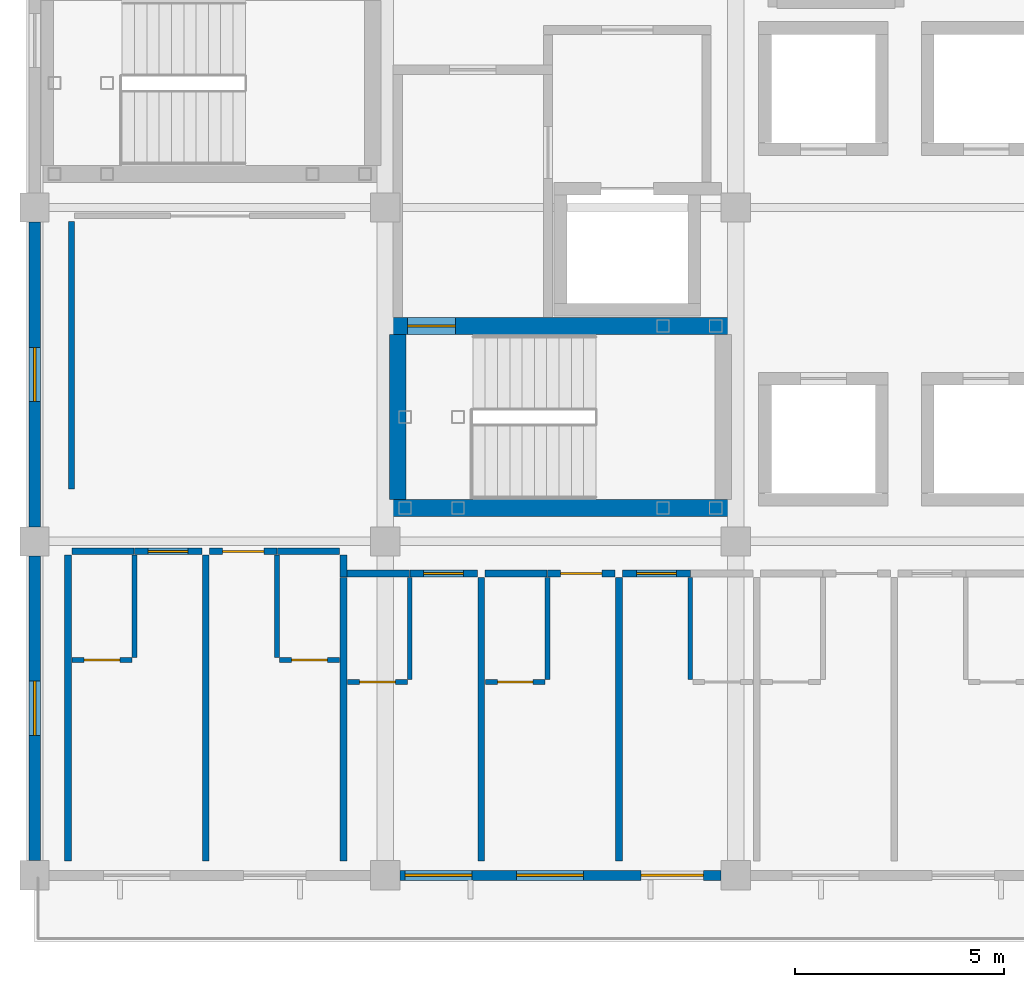
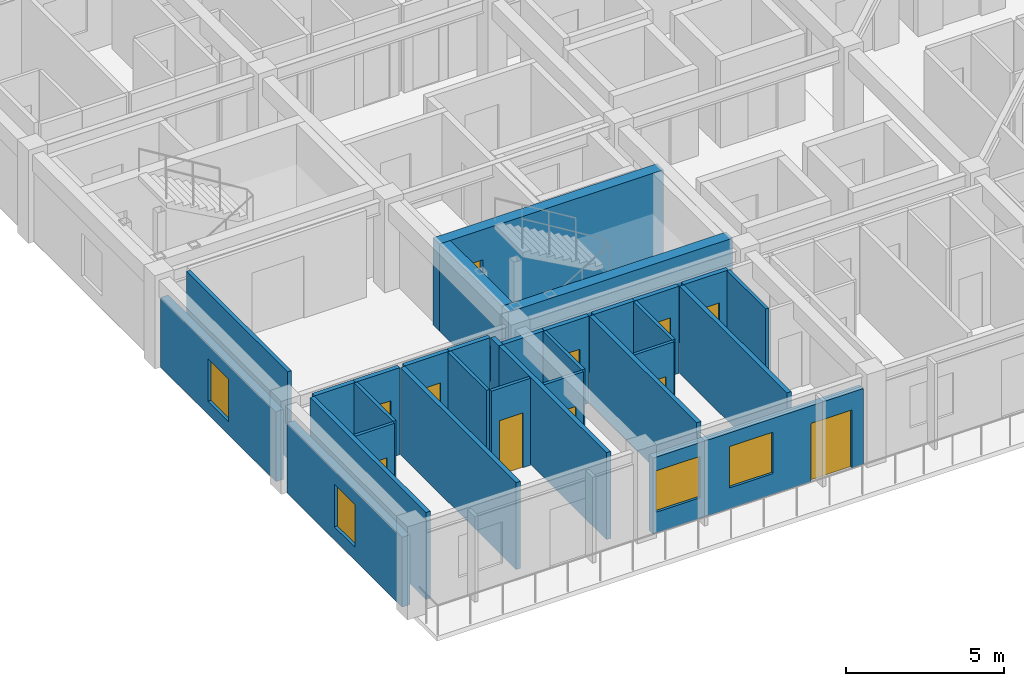
# One storey, part 4 of 16: 31 walls, 11 doors, 4 windows, 15 openings.
"""IFC4 building model written with IfcOpenShell, lengths in metres."""

import ifcopenshell
import ifcopenshell.guid

model = None  # the IFC model being written
_history = None  # IfcOwnerHistory: only IFC2X3 demands one
_inside = {}  # id of a spatial element -> (the spatial element, [elements in it])
_under = {}  # id of a project, library or spatial element -> (it, [spatial elements below it])
_declared = {}  # id of a project -> (the project, [libraries it declares])
_typed = {}  # id of a type object -> (the type object, [elements of that type])
_made_of = {}  # id of a material, layer set ... -> (it, [elements and type objects made of it])


def new_model(schema):
    """Start an empty IFC model of exactly this schema.

    Asked for "IFC4X3", IfcOpenShell would pick the latest addendum, in which some entities
    have other attributes; the version numbers below select the first issue.
    IFC2X3 requires an IfcOwnerHistory on every rooted entity: one is made here for all.
    """
    global model, _history
    if schema == "IFC4X3":
        model = ifcopenshell.file(schema_version=(4, 3, 0, 0))
    else:
        model = ifcopenshell.file(schema=schema)
    _inside.clear()
    _under.clear()
    _declared.clear()
    _typed.clear()
    _made_of.clear()
    _history = None
    if model.schema == "IFC2X3":
        org = make("IfcOrganization", Name="unknown")
        user = make(
            "IfcPersonAndOrganization",
            ThePerson=make("IfcPerson", FamilyName="unknown"),
            TheOrganization=org,
        )
        app = make(
            "IfcApplication",
            ApplicationDeveloper=org,
            Version="unknown",
            ApplicationFullName="unknown",
            ApplicationIdentifier="unknown",
        )
        _history = make(
            "IfcOwnerHistory",
            OwningUser=user,
            OwningApplication=app,
            ChangeAction="ADDED",
            CreationDate=0,
        )
    return model


def make(cls, **values):
    """One entity of the class cls with the attributes given. An attribute that is None is left unset."""
    return model.create_entity(
        cls, **{name: value for name, value in values.items() if value is not None}
    )


def rooted(cls, **values):
    """An entity with a GlobalId (a new one), such as an element, a storey or a relation."""
    return make(cls, GlobalId=ifcopenshell.guid.new(), OwnerHistory=_history, **values)


def si_unit(unit_type, name, prefix=None):
    """IfcSIUnit, for example si_unit("LENGTHUNIT", "METRE", prefix="MILLI")."""
    return make("IfcSIUnit", UnitType=unit_type, Prefix=prefix, Name=name)


def assignment(units):
    """IfcUnitAssignment: the units of a project."""
    return None if units is None else make("IfcUnitAssignment", Units=units)


def point(xyz):
    """IfcCartesianPoint."""
    return None if xyz is None else make("IfcCartesianPoint", Coordinates=xyz)


def direction(xyz):
    """IfcDirection."""
    return None if xyz is None else make("IfcDirection", DirectionRatios=xyz)


def frame(location, z_axis=None, x_axis=None):
    """IfcAxis2Placement3D, a coordinate frame: its origin and axes. An axis left out is left unset."""
    return make(
        "IfcAxis2Placement3D",
        Location=point(location),
        Axis=direction(z_axis),
        RefDirection=direction(x_axis),
    )


def frame_2d(location, x_axis=None):
    """IfcAxis2Placement2D, a coordinate frame in the plane: its origin and x axis."""
    return make(
        "IfcAxis2Placement2D", Location=point(location), RefDirection=direction(x_axis)
    )


def origin():
    """The frame at (0, 0, 0) with its axes left unset."""
    return frame((0.0, 0.0, 0.0))


def place(relative_to, where):
    """IfcLocalPlacement: puts the frame where relative to a parent placement (None: the world)."""
    return make(
        "IfcLocalPlacement", PlacementRelTo=relative_to, RelativePlacement=where
    )


def context(
    kind, dimensions, precision=None, world=None, true_north=None, identifier=None
):
    """IfcGeometricRepresentationContext, for example the 3D "Model" context."""
    return make(
        "IfcGeometricRepresentationContext",
        ContextIdentifier=identifier,
        ContextType=kind,
        CoordinateSpaceDimension=dimensions,
        Precision=precision,
        WorldCoordinateSystem=world,
        TrueNorth=true_north,
    )


def subcontext(parent, identifier, kind, view, scale=None):
    """IfcGeometricRepresentationSubContext, for example "Body" below "Model"."""
    return make(
        "IfcGeometricRepresentationSubContext",
        ContextIdentifier=identifier,
        ContextType=kind,
        ParentContext=parent,
        TargetScale=scale,
        TargetView=view,
    )


def project(units=None, contexts=None):
    """IfcProject with its units and contexts."""
    return rooted(
        "IfcProject",
        Name="project",
        RepresentationContexts=contexts,
        UnitsInContext=assignment(units),
    )


def spatial(cls, under=None, at=None, **own):
    """A site, building, storey or space (cls), placed at a placement, below another one or the project."""
    s = rooted(cls, ObjectPlacement=at, **own)
    if under is not None:
        _under.setdefault(under.id(), (under, []))[1].append(s)
    return s


def profile(cls, at=None, kind="AREA", **sizes):
    """A parametric profile (cls). Its sizes go by their IFC names, for example OverallWidth=200.0."""
    return make(cls, ProfileType=kind, Position=at, **sizes)


def rectangle(**sizes):
    """IfcRectangleProfileDef."""
    return profile("IfcRectangleProfileDef", **sizes)


def extrude(swept, where, along, depth):
    """IfcExtrudedAreaSolid: the profile swept, set in the frame where, extruded along a direction by depth."""
    return make(
        "IfcExtrudedAreaSolid",
        SweptArea=swept,
        Position=where,
        ExtrudedDirection=direction(along),
        Depth=depth,
    )


def shape(context_of_items, identifier, shape_type, items):
    """IfcShapeRepresentation: the items that make up one representation, for example the "Body"."""
    return make(
        "IfcShapeRepresentation",
        ContextOfItems=context_of_items,
        RepresentationIdentifier=identifier,
        RepresentationType=shape_type,
        Items=items,
    )


def material(Name=None, Category=None):
    """IfcMaterial."""
    return make("IfcMaterial", Name=Name, Category=Category)


def layer(
    of_material, thickness, ventilated=None, Name=None, Category=None, Priority=None
):
    """IfcMaterialLayer: one layer of a wall or slab, of a material (None: an air gap)."""
    return make(
        "IfcMaterialLayer",
        Material=of_material,
        LayerThickness=thickness,
        IsVentilated=ventilated,
        Name=Name,
        Category=Category,
        Priority=Priority,
    )


def layer_set(layers, Name=None):
    """IfcMaterialLayerSet."""
    return make("IfcMaterialLayerSet", MaterialLayers=layers, LayerSetName=Name)


def made_of(thing, what):
    """Note that an element or type object is made of a material, layer set ...; save() writes the relation."""
    if what is not None:
        _made_of.setdefault(what.id(), (what, []))[1].append(thing)
    return thing


def type_object(cls, material=None, **own):
    """A type object (cls), such as IfcWallType, which elements share."""
    return made_of(rooted(cls, **own), material)


def element(
    cls,
    number,
    at=None,
    inside=None,
    cuts=None,
    type_object=None,
    material=None,
    context=None,
    identifier="Body",
    shape_type=None,
    held_by="IfcProductDefinitionShape",
    body=None,
    shapes=None,
    **own,
):
    """One element of the class cls, such as IfcWall. Its Tag is "e" and its number.

    at: its placement. inside: the storey or other place that contains it. cuts: it is an
    opening in that element (IfcRelVoidsElement). A single representation is given by context,
    identifier, shape_type and body (its items); several are given by shapes. held_by: the class
    of the entity that holds the representations. save() writes the other relations.
    """
    e = rooted(cls, Tag="e%d" % number, ObjectPlacement=at, **own)
    if body is not None:
        shapes = [shape(context, identifier, shape_type, body)]
    if shapes is not None:
        e.Representation = make(held_by, Representations=shapes)
    if inside is not None:
        _inside.setdefault(inside.id(), (inside, []))[1].append(e)
    if cuts is not None:
        rooted(
            "IfcRelVoidsElement", RelatingBuildingElement=cuts, RelatedOpeningElement=e
        )
    if type_object is not None:
        _typed.setdefault(type_object.id(), (type_object, []))[1].append(e)
    return made_of(e, material)


def fill(opening, filler):
    """IfcRelFillsElement: the door or window that sits in an opening."""
    return rooted(
        "IfcRelFillsElement",
        RelatingOpeningElement=opening,
        RelatedBuildingElement=filler,
    )


def aggregate(whole, parts):
    """IfcRelAggregates: a whole, such as a stair, and the parts it consists of."""
    return rooted("IfcRelAggregates", RelatingObject=whole, RelatedObjects=parts)


def save(model, path):
    """Write the relations noted so far, then the file.

    IfcRelAggregates (storeys below a building ...), IfcRelContainedInSpatialStructure (elements
    in a storey), IfcRelDefinesByType, IfcRelAssociatesMaterial and IfcRelDeclares: one each for
    every whole, place, type object, material and project.
    """
    for whole, parts in _under.values():
        aggregate(whole, parts)
    for where, things in _inside.values():
        rooted(
            "IfcRelContainedInSpatialStructure",
            RelatedElements=things,
            RelatingStructure=where,
        )
    for kind, things in _typed.values():
        rooted("IfcRelDefinesByType", RelatedObjects=things, RelatingType=kind)
    for what, things in _made_of.values():
        rooted("IfcRelAssociatesMaterial", RelatedObjects=things, RelatingMaterial=what)
    for by, libraries in _declared.values():
        rooted("IfcRelDeclares", RelatingContext=by, RelatedDefinitions=libraries)
    model.write(path)


model = new_model("IFC4")

# Units and contexts
model_context = context("Model", 3, precision=1e-05, world=origin(), true_north=direction((0.0, 1.0)))
body_context = subcontext(model_context, "Body", "Model", "MODEL_VIEW")
ifc_project = project(units=[si_unit("LENGTHUNIT", "METRE"), si_unit("AREAUNIT", "SQUARE_METRE"), si_unit("VOLUMEUNIT", "CUBIC_METRE"), si_unit("PLANEANGLEUNIT", "RADIAN"), si_unit("MASSUNIT", "GRAM", prefix="KILO")], contexts=[model_context])

# Site, building, storey
site_placement = place(None, origin())
site = spatial("IfcSite", under=ifc_project, at=site_placement, CompositionType="ELEMENT")
building_placement = place(site_placement, origin())
building = spatial("IfcBuilding", under=site, at=building_placement, Name="Naruveol Harbour Congress Hotel", CompositionType="ELEMENT")
storey_placement = place(building_placement, frame((0.0, 0.0, 28.800048828125)))
storey = spatial("IfcBuildingStorey", under=building, at=storey_placement, Name="L06", CompositionType="ELEMENT", Elevation=28.800048828125)

# Wall
ifc_material_1 = material(Name="Acoustic Double Stud Gypsum", Category="gypsum")
ifc_layer_1 = layer(ifc_material_1, 0.139892578125)
ifc_layer_set_1 = layer_set([ifc_layer_1], Name="Acoustic Double Stud Gypsum")
wall_type_1 = type_object("IfcWallType", Name="ACOUSTIC MEETING PARTITION WALL 140", PredefinedType="PARTITIONING", material=ifc_layer_set_1)
wall_1_placement = place(storey_placement, frame((118.47998046875, 9.25, 0.0), z_axis=(0.0, 0.0, 1.0), x_axis=(0.0, 1.0, 0.0)))
element("IfcWall", 1, at=wall_1_placement, inside=storey, type_object=wall_type_1, Name="Executive Harbour Lounge west partition PW-140", PredefinedType="PARTITIONING", context=body_context, shape_type="SweptSolid", body=[
    extrude(rectangle(XDim=6.409912109375, YDim=0.139892578125, at=frame_2d((3.205078125, 0.0))), origin(), (0.0, 0.0, 1.0), 3.364990234375),
])

# Wall, opening, window
ifc_material_2 = material(Name="Precast concrete C40/50", Category="concrete")
ifc_layer_2 = layer(ifc_material_2, 0.280029296875)
ifc_layer_set_2 = layer_set([ifc_layer_2], Name="Precast concrete C40/50")
wall_type_2 = type_object("IfcWallType", Name="ARCHITECTURAL PRECAST FACADE WALL 280", PredefinedType="SOLIDWALL", material=ifc_layer_set_2)
wall_2_placement = place(storey_placement, frame((117.60009765625, 0.35009765625, 0.0), z_axis=(0.0, 0.0, 1.0), x_axis=(0.0, 1.0, 0.0)))
wall_2 = element("IfcWall", 2, at=wall_2_placement, inside=storey, type_object=wall_type_2, Name="Hotel west gable wall L06 EW-280", PredefinedType="SOLIDWALL", context=body_context, shape_type="SweptSolid", body=[
    extrude(rectangle(XDim=7.2998046875, YDim=0.280029296875, at=frame_2d((3.64990234375, 0.0))), origin(), (0.0, 0.0, 1.0), 2.699951171875),
])
opening_1_placement = place(wall_2_placement, frame((3.0, 0.0, 0.5)))
opening_1 = element("IfcOpeningElement", 3, at=opening_1_placement, cuts=wall_2, Name="Opening W-27", PredefinedType="OPENING", context=body_context, shape_type="SweptSolid", body=[
    extrude(rectangle(XDim=1.300048828125, YDim=1.64990234375, at=frame_2d((0.64990234375, 0.824951171875))), frame((0.0, 0.14990234375, 0.0), z_axis=(0.0, -1.0, 0.0), x_axis=(1.0, 0.0, 0.0)), (0.0, 0.0, 1.0), 0.300048828125),
])
ifc_material_3 = material(Name="Low-E Triple Glazing in Thermal Aluminium", Category="aluminium")
window_type_1 = type_object("IfcWindowType", Name="READING SALON TALL WINDOW 1300X1650", PartitioningType="SINGLE_PANEL", PredefinedType="WINDOW", material=ifc_material_3)
window_1_placement = place(opening_1_placement, origin())
window_1 = element("IfcWindow", 4, at=window_1_placement, inside=storey, type_object=window_type_1, Name="Window W-27 #376", OverallHeight=1.64990234375, OverallWidth=1.300048828125, PartitioningType="SINGLE_PANEL", PredefinedType="WINDOW", context=body_context, shape_type="SweptSolid", body=[
    extrude(rectangle(XDim=1.300048828125, YDim=1.64990234375, at=frame_2d((0.64990234375, 0.824951171875))), frame((0.0, 0.030029296875, 0.0), z_axis=(0.0, -1.0, 0.0), x_axis=(1.0, 0.0, 0.0)), (0.0, 0.0, 1.0), 0.06005859375),
])
fill(opening_1, window_1)

wall_3_placement = place(storey_placement, frame((117.60009765625, 8.35009765625, 0.0), z_axis=(0.0, 0.0, 1.0), x_axis=(0.0, 1.0, 0.0)))
wall_3 = element("IfcWall", 5, at=wall_3_placement, inside=storey, type_object=wall_type_2, Name="Hotel west gable wall L06 EW-280", PredefinedType="SOLIDWALL", context=body_context, shape_type="SweptSolid", body=[
    extrude(rectangle(XDim=7.2998046875, YDim=0.280029296875, at=frame_2d((3.64990234375, 0.0))), origin(), (0.0, 0.0, 1.0), 2.699951171875),
])
opening_2_placement = place(wall_3_placement, frame((3.0, 0.0, 0.5)))
opening_2 = element("IfcOpeningElement", 6, at=opening_2_placement, cuts=wall_3, Name="Opening W-27", PredefinedType="OPENING", context=body_context, shape_type="SweptSolid", body=[
    extrude(rectangle(XDim=1.300048828125, YDim=1.64990234375, at=frame_2d((0.64990234375, 0.824951171875))), frame((0.0, 0.14990234375, 0.0), z_axis=(0.0, -1.0, 0.0), x_axis=(1.0, 0.0, 0.0)), (0.0, 0.0, 1.0), 0.300048828125),
])
window_2_placement = place(opening_2_placement, origin())
window_2 = element("IfcWindow", 7, at=window_2_placement, inside=storey, type_object=window_type_1, Name="Window W-27 #377", OverallHeight=1.64990234375, OverallWidth=1.300048828125, PartitioningType="SINGLE_PANEL", PredefinedType="WINDOW", context=body_context, shape_type="SweptSolid", body=[
    extrude(rectangle(XDim=1.300048828125, YDim=1.64990234375, at=frame_2d((0.64990234375, 0.824951171875))), frame((0.0, 0.030029296875, 0.0), z_axis=(0.0, -1.0, 0.0), x_axis=(1.0, 0.0, 0.0)), (0.0, 0.0, 1.0), 0.06005859375),
])
fill(opening_2, window_2)

# Wall
ifc_material_4 = material(Name="Moisture-Resistant Gypsum Partition", Category="gypsum")
ifc_layer_3 = layer(ifc_material_4, 0.114990234375)
ifc_layer_set_3 = layer_set([ifc_layer_3], Name="Moisture-Resistant Gypsum Partition")
wall_type_3 = type_object("IfcWallType", Name="BATHROOM MOISTURE PARTITION WALL 115", PredefinedType="PARTITIONING", material=ifc_layer_set_3)
wall_4_placement = place(storey_placement, frame((119.989990234375, 5.219970703125, 0.0), z_axis=(0.0, 0.0, 1.0), x_axis=(0.0, 1.0, 0.0)))
element("IfcWall", 8, at=wall_4_placement, inside=storey, type_object=wall_type_3, Name="Bathroom east wall 0753 PW-115", PredefinedType="PARTITIONING", context=body_context, shape_type="SweptSolid", body=[
    extrude(rectangle(XDim=2.449951171875, YDim=0.114990234375, at=frame_2d((1.22509765625, 0.0))), origin(), (0.0, 0.0, 1.0), 3.364990234375),
])

# Wall, opening, door
wall_5_placement = place(storey_placement, frame((118.5, 5.159912109375, 0.0), z_axis=(0.0, 0.0, 1.0), x_axis=(1.0, 0.0, 0.0)))
wall_5 = element("IfcWall", 9, at=wall_5_placement, inside=storey, type_object=wall_type_3, Name="Bathroom south wall 0753 PW-115", PredefinedType="PARTITIONING", context=body_context, shape_type="SweptSolid", body=[
    extrude(rectangle(XDim=1.429931640625, YDim=0.114990234375, at=frame_2d((0.71484375, 0.0))), origin(), (0.0, 0.0, 1.0), 3.364990234375),
])
opening_3_placement = place(wall_5_placement, frame((0.284912109375, 0.0, 0.0)))
opening_3 = element("IfcOpeningElement", 10, at=opening_3_placement, cuts=wall_5, Name="Opening BD-RM0753", PredefinedType="OPENING", context=body_context, shape_type="SweptSolid", body=[
    extrude(rectangle(XDim=0.860107421875, YDim=2.1201171875, at=frame_2d((0.43017578125, 1.06005859375))), frame((0.0, 0.0673828125, 0.0), z_axis=(0.0, -1.0, 0.0), x_axis=(1.0, 0.0, 0.0)), (0.0, 0.0, 1.0), 0.135009765625),
])
ifc_material_5 = material(Name="Timber & Steel Acoustic Leaf", Category="steel")
door_type_1 = type_object("IfcDoorType", Name="GUEST BATHROOM DOOR 860X2120", OperationType="NOTDEFINED", PredefinedType="DOOR", material=ifc_material_5)
door_1_placement = place(opening_3_placement, origin())
door_1 = element("IfcDoor", 11, at=door_1_placement, inside=storey, type_object=door_type_1, Name="Bathroom Door 0753", OperationType="SINGLE_SWING_RIGHT", OverallHeight=2.1201171875, OverallWidth=0.860107421875, PredefinedType="DOOR", context=body_context, shape_type="SweptSolid", body=[
    extrude(rectangle(XDim=0.860107421875, YDim=2.1201171875, at=frame_2d((0.43017578125, 1.06005859375))), frame((0.0, 0.02490234375, 0.0), z_axis=(0.0, -1.0, 0.0), x_axis=(1.0, 0.0, 0.0)), (0.0, 0.0, 1.0), 0.050048828125),
])
fill(opening_3, door_1)

# Wall
wall_6_placement = place(storey_placement, frame((123.409912109375, 5.219970703125, 0.0), z_axis=(0.0, 0.0, 1.0), x_axis=(0.0, 1.0, 0.0)))
element("IfcWall", 12, at=wall_6_placement, inside=storey, type_object=wall_type_3, Name="Bathroom west wall 0754 PW-115", PredefinedType="PARTITIONING", context=body_context, shape_type="SweptSolid", body=[
    extrude(rectangle(XDim=2.449951171875, YDim=0.114990234375, at=frame_2d((1.22509765625, 0.0))), origin(), (0.0, 0.0, 1.0), 3.364990234375),
])

# Wall, opening, door
wall_7_placement = place(storey_placement, frame((123.469970703125, 5.159912109375, 0.0), z_axis=(0.0, 0.0, 1.0), x_axis=(1.0, 0.0, 0.0)))
wall_7 = element("IfcWall", 13, at=wall_7_placement, inside=storey, type_object=wall_type_3, Name="Bathroom south wall 0754 PW-115", PredefinedType="PARTITIONING", context=body_context, shape_type="SweptSolid", body=[
    extrude(rectangle(XDim=1.429931640625, YDim=0.114990234375, at=frame_2d((0.71484375, 0.0))), origin(), (0.0, 0.0, 1.0), 3.364990234375),
])
opening_4_placement = place(wall_7_placement, frame((0.284912109375, 0.0, 0.0)))
opening_4 = element("IfcOpeningElement", 14, at=opening_4_placement, cuts=wall_7, Name="Opening BD-RM0754", PredefinedType="OPENING", context=body_context, shape_type="SweptSolid", body=[
    extrude(rectangle(XDim=0.860107421875, YDim=2.1201171875, at=frame_2d((0.43017578125, 1.06005859375))), frame((0.0, 0.0673828125, 0.0), z_axis=(0.0, -1.0, 0.0), x_axis=(1.0, 0.0, 0.0)), (0.0, 0.0, 1.0), 0.135009765625),
])
door_2_placement = place(opening_4_placement, origin())
door_2 = element("IfcDoor", 15, at=door_2_placement, inside=storey, type_object=door_type_1, Name="Bathroom Door 0754", OperationType="SINGLE_SWING_RIGHT", OverallHeight=2.1201171875, OverallWidth=0.860107421875, PredefinedType="DOOR", context=body_context, shape_type="SweptSolid", body=[
    extrude(rectangle(XDim=0.860107421875, YDim=2.1201171875, at=frame_2d((0.43017578125, 1.06005859375))), frame((0.0, 0.02490234375, 0.0), z_axis=(0.0, -1.0, 0.0), x_axis=(1.0, 0.0, 0.0)), (0.0, 0.0, 1.0), 0.050048828125),
])
fill(opening_4, door_2)

# Wall
wall_8_placement = place(storey_placement, frame((126.590087890625, 4.68994140625, 0.0), z_axis=(0.0, 0.0, 1.0), x_axis=(0.0, 1.0, 0.0)))
element("IfcWall", 16, at=wall_8_placement, inside=storey, type_object=wall_type_3, Name="Bathroom east wall 0755 PW-115", PredefinedType="PARTITIONING", context=body_context, shape_type="SweptSolid", body=[
    extrude(rectangle(XDim=2.449951171875, YDim=0.114990234375, at=frame_2d((1.22509765625, 0.0))), origin(), (0.0, 0.0, 1.0), 3.364990234375),
])

# Wall, opening, door
wall_9_placement = place(storey_placement, frame((125.10009765625, 4.6298828125, 0.0), z_axis=(0.0, 0.0, 1.0), x_axis=(1.0, 0.0, 0.0)))
wall_9 = element("IfcWall", 17, at=wall_9_placement, inside=storey, type_object=wall_type_3, Name="Bathroom south wall 0755 PW-115", PredefinedType="PARTITIONING", context=body_context, shape_type="SweptSolid", body=[
    extrude(rectangle(XDim=1.429931640625, YDim=0.114990234375, at=frame_2d((0.71484375, 0.0))), origin(), (0.0, 0.0, 1.0), 3.364990234375),
])
opening_5_placement = place(wall_9_placement, frame((0.284912109375, 0.0, 0.0)))
opening_5 = element("IfcOpeningElement", 18, at=opening_5_placement, cuts=wall_9, Name="Opening BD-RM0755", PredefinedType="OPENING", context=body_context, shape_type="SweptSolid", body=[
    extrude(rectangle(XDim=0.860107421875, YDim=2.1201171875, at=frame_2d((0.43017578125, 1.06005859375))), frame((0.0, 0.0673828125, 0.0), z_axis=(0.0, -1.0, 0.0), x_axis=(1.0, 0.0, 0.0)), (0.0, 0.0, 1.0), 0.135009765625),
])
door_3_placement = place(opening_5_placement, origin())
door_3 = element("IfcDoor", 19, at=door_3_placement, inside=storey, type_object=door_type_1, Name="Bathroom Door 0755", OperationType="SINGLE_SWING_RIGHT", OverallHeight=2.1201171875, OverallWidth=0.860107421875, PredefinedType="DOOR", context=body_context, shape_type="SweptSolid", body=[
    extrude(rectangle(XDim=0.860107421875, YDim=2.1201171875, at=frame_2d((0.43017578125, 1.06005859375))), frame((0.0, 0.02490234375, 0.0), z_axis=(0.0, -1.0, 0.0), x_axis=(1.0, 0.0, 0.0)), (0.0, 0.0, 1.0), 0.050048828125),
])
fill(opening_5, door_3)

# Wall
wall_10_placement = place(storey_placement, frame((129.889892578125, 4.68994140625, 0.0), z_axis=(0.0, 0.0, 1.0), x_axis=(0.0, 1.0, 0.0)))
element("IfcWall", 20, at=wall_10_placement, inside=storey, type_object=wall_type_3, Name="Bathroom east wall 0756 PW-115", PredefinedType="PARTITIONING", context=body_context, shape_type="SweptSolid", body=[
    extrude(rectangle(XDim=2.449951171875, YDim=0.114990234375, at=frame_2d((1.22509765625, 0.0))), origin(), (0.0, 0.0, 1.0), 3.364990234375),
])

# Wall, opening, door
wall_11_placement = place(storey_placement, frame((128.39990234375, 4.6298828125, 0.0), z_axis=(0.0, 0.0, 1.0), x_axis=(1.0, 0.0, 0.0)))
wall_11 = element("IfcWall", 21, at=wall_11_placement, inside=storey, type_object=wall_type_3, Name="Bathroom south wall 0756 PW-115", PredefinedType="PARTITIONING", context=body_context, shape_type="SweptSolid", body=[
    extrude(rectangle(XDim=1.43017578125, YDim=0.114990234375, at=frame_2d((0.715087890625, 0.0))), origin(), (0.0, 0.0, 1.0), 3.364990234375),
])
opening_6_placement = place(wall_11_placement, frame((0.284912109375, 0.0, 0.0)))
opening_6 = element("IfcOpeningElement", 22, at=opening_6_placement, cuts=wall_11, Name="Opening BD-RM0756", PredefinedType="OPENING", context=body_context, shape_type="SweptSolid", body=[
    extrude(rectangle(XDim=0.860107421875, YDim=2.1201171875, at=frame_2d((0.43017578125, 1.06005859375))), frame((0.0, 0.0673828125, 0.0), z_axis=(0.0, -1.0, 0.0), x_axis=(1.0, 0.0, 0.0)), (0.0, 0.0, 1.0), 0.135009765625),
])
door_4_placement = place(opening_6_placement, origin())
door_4 = element("IfcDoor", 23, at=door_4_placement, inside=storey, type_object=door_type_1, Name="Bathroom Door 0756", OperationType="SINGLE_SWING_RIGHT", OverallHeight=2.1201171875, OverallWidth=0.860107421875, PredefinedType="DOOR", context=body_context, shape_type="SweptSolid", body=[
    extrude(rectangle(XDim=0.860107421875, YDim=2.1201171875, at=frame_2d((0.43017578125, 1.06005859375))), frame((0.0, 0.02490234375, 0.0), z_axis=(0.0, -1.0, 0.0), x_axis=(1.0, 0.0, 0.0)), (0.0, 0.0, 1.0), 0.050048828125),
])
fill(opening_6, door_4)

# Walls
wall_12_placement = place(storey_placement, frame((133.31005859375, 4.68994140625, 0.0), z_axis=(0.0, 0.0, 1.0), x_axis=(0.0, 1.0, 0.0)))
element("IfcWall", 24, at=wall_12_placement, inside=storey, type_object=wall_type_3, Name="Bathroom west wall 0757 PW-115", PredefinedType="PARTITIONING", context=body_context, shape_type="SweptSolid", body=[
    extrude(rectangle(XDim=2.449951171875, YDim=0.114990234375, at=frame_2d((1.22509765625, 0.0))), origin(), (0.0, 0.0, 1.0), 3.364990234375),
])
ifc_material_6 = material(Name="Autoclaved Aerated Concrete Block", Category="concrete")
ifc_layer_4 = layer(ifc_material_6, 0.159912109375)
ifc_layer_set_4 = layer_set([ifc_layer_4], Name="Autoclaved Aerated Concrete Block")
wall_type_4 = type_object("IfcWallType", Name="HOTEL PARTY AND CORRIDOR WALL 160 EI60", PredefinedType="PARTITIONING", material=ifc_layer_set_4)
wall_13_placement = place(storey_placement, frame((118.489990234375, 7.760009765625, 0.0), z_axis=(0.0, 0.0, 1.0), x_axis=(1.0, 0.0, 0.0)))
element("IfcWall", 25, at=wall_13_placement, inside=storey, type_object=wall_type_4, Name="Corridor wall 0753B PW-160", PredefinedType="PARTITIONING", context=body_context, shape_type="SweptSolid", body=[
    extrude(rectangle(XDim=1.489990234375, YDim=0.159912109375, at=frame_2d((0.7451171875, 0.0))), origin(), (0.0, 0.0, 1.0), 3.364990234375),
])

# Wall, opening, door
wall_14_placement = place(storey_placement, frame((119.989990234375, 7.760009765625, 0.0), z_axis=(0.0, 0.0, 1.0), x_axis=(1.0, 0.0, 0.0)))
wall_14 = element("IfcWall", 26, at=wall_14_placement, inside=storey, type_object=wall_type_4, Name="Corridor entry wall 0753 PW-160", PredefinedType="PARTITIONING", context=body_context, shape_type="SweptSolid", body=[
    extrude(rectangle(XDim=1.6201171875, YDim=0.159912109375, at=frame_2d((0.81005859375, 0.0))), origin(), (0.0, 0.0, 1.0), 3.364990234375),
])
opening_7_placement = place(wall_14_placement, frame((0.330078125, 0.0, 0.0)))
opening_7 = element("IfcOpeningElement", 27, at=opening_7_placement, cuts=wall_14, Name="Opening FD-RM0753", PredefinedType="OPENING", context=body_context, shape_type="SweptSolid", body=[
    extrude(rectangle(XDim=0.9599609375, YDim=2.199951171875, at=frame_2d((0.47998046875, 1.10009765625))), frame((0.0, 0.08984375, 0.0), z_axis=(0.0, -1.0, 0.0), x_axis=(1.0, 0.0, 0.0)), (0.0, 0.0, 1.0), 0.179931640625),
])
ifc_material_7 = material(Name="Timber & Steel Acoustic Leaf", Category="steel")
door_type_2 = type_object("IfcDoorType", Name="GUEST ROOM ENTRANCE FIRE DOOR 960X2200", OperationType="NOTDEFINED", PredefinedType="DOOR", material=ifc_material_7)
door_5_placement = place(opening_7_placement, origin())
door_5 = element("IfcDoor", 28, at=door_5_placement, inside=storey, type_object=door_type_2, Name="Hotel Room Door 0753", OperationType="SINGLE_SWING_LEFT", OverallHeight=2.199951171875, OverallWidth=0.9599609375, PredefinedType="DOOR", context=body_context, shape_type="SweptSolid", body=[
    extrude(rectangle(XDim=0.9599609375, YDim=2.199951171875, at=frame_2d((0.47998046875, 1.10009765625))), frame((0.0, 0.02490234375, 0.0), z_axis=(0.0, -1.0, 0.0), x_axis=(1.0, 0.0, 0.0)), (0.0, 0.0, 1.0), 0.050048828125),
])
fill(opening_7, door_5)

# Wall
wall_15_placement = place(storey_placement, frame((118.39990234375, 0.340087890625, 0.0), z_axis=(0.0, 0.0, 1.0), x_axis=(0.0, 1.0, 0.0)))
element("IfcWall", 29, at=wall_15_placement, inside=storey, type_object=wall_type_4, Name="Hotel party wall 0753 PW-160", PredefinedType="PARTITIONING", context=body_context, shape_type="SweptSolid", body=[
    extrude(rectangle(XDim=7.329833984375, YDim=0.159912109375, at=frame_2d((3.6650390625, 0.0))), origin(), (0.0, 0.0, 1.0), 3.364990234375),
])

# Wall, opening, door
wall_16_placement = place(storey_placement, frame((121.7900390625, 7.760009765625, 0.0), z_axis=(0.0, 0.0, 1.0), x_axis=(1.0, 0.0, 0.0)))
wall_16 = element("IfcWall", 30, at=wall_16_placement, inside=storey, type_object=wall_type_4, Name="Corridor entry wall 0754 PW-160", PredefinedType="PARTITIONING", context=body_context, shape_type="SweptSolid", body=[
    extrude(rectangle(XDim=1.619873046875, YDim=0.159912109375, at=frame_2d((0.81005859375, 0.0))), origin(), (0.0, 0.0, 1.0), 3.364990234375),
])
opening_8_placement = place(wall_16_placement, frame((0.31005859375, 0.0, 0.0)))
opening_8 = element("IfcOpeningElement", 31, at=opening_8_placement, cuts=wall_16, Name="Opening FD-RM0754", PredefinedType="OPENING", context=body_context, shape_type="SweptSolid", body=[
    extrude(rectangle(XDim=1.0, YDim=2.25, at=frame_2d((0.5, 1.125))), frame((0.0, 0.08984375, 0.0), z_axis=(0.0, -1.0, 0.0), x_axis=(1.0, 0.0, 0.0)), (0.0, 0.0, 1.0), 0.179931640625),
])
ifc_material_8 = material(Name="Timber & Steel Acoustic Leaf", Category="steel")
door_type_3 = type_object("IfcDoorType", Name="DELUXE GUEST ENTRANCE FIRE DOOR 1000X2250", OperationType="NOTDEFINED", PredefinedType="DOOR", material=ifc_material_8)
door_6_placement = place(opening_8_placement, origin())
door_6 = element("IfcDoor", 32, at=door_6_placement, inside=storey, type_object=door_type_3, Name="Hotel Room Door 0754", OperationType="SINGLE_SWING_LEFT", OverallHeight=2.25, OverallWidth=1.0, PredefinedType="DOOR", context=body_context, shape_type="SweptSolid", body=[
    extrude(rectangle(XDim=1.0, YDim=2.25, at=frame_2d((0.5, 1.125))), frame((0.0, 0.02490234375, 0.0), z_axis=(0.0, -1.0, 0.0), x_axis=(1.0, 0.0, 0.0)), (0.0, 0.0, 1.0), 0.050048828125),
])
fill(opening_8, door_6)

# Walls
wall_17_placement = place(storey_placement, frame((123.419921875, 7.760009765625, 0.0), z_axis=(0.0, 0.0, 1.0), x_axis=(1.0, 0.0, 0.0)))
element("IfcWall", 33, at=wall_17_placement, inside=storey, type_object=wall_type_4, Name="Corridor wall 0754B PW-160", PredefinedType="PARTITIONING", context=body_context, shape_type="SweptSolid", body=[
    extrude(rectangle(XDim=1.489990234375, YDim=0.159912109375, at=frame_2d((0.7451171875, 0.0))), origin(), (0.0, 0.0, 1.0), 3.364990234375),
])
wall_18_placement = place(storey_placement, frame((121.699951171875, 0.340087890625, 0.0), z_axis=(0.0, 0.0, 1.0), x_axis=(0.0, 1.0, 0.0)))
element("IfcWall", 34, at=wall_18_placement, inside=storey, type_object=wall_type_4, Name="Hotel party wall 0754 PW-160", PredefinedType="PARTITIONING", context=body_context, shape_type="SweptSolid", body=[
    extrude(rectangle(XDim=7.329833984375, YDim=0.159912109375, at=frame_2d((3.6650390625, 0.0))), origin(), (0.0, 0.0, 1.0), 3.364990234375),
])
wall_19_placement = place(storey_placement, frame((125.0, 7.14990234375, 0.0), z_axis=(0.0, 0.0, 1.0), x_axis=(0.0, 1.0, 0.0)))
element("IfcWall", 35, at=wall_19_placement, inside=storey, type_object=wall_type_4, Name="Hotel end party wall 0754 PW-160", PredefinedType="PARTITIONING", context=body_context, shape_type="SweptSolid", body=[
    extrude(rectangle(XDim=0.52001953125, YDim=0.159912109375, at=frame_2d((0.260009765625, 0.0))), origin(), (0.0, 0.0, 1.0), 3.364990234375),
])
wall_20_placement = place(storey_placement, frame((125.090087890625, 7.22998046875, 0.0), z_axis=(0.0, 0.0, 1.0), x_axis=(1.0, 0.0, 0.0)))
element("IfcWall", 36, at=wall_20_placement, inside=storey, type_object=wall_type_4, Name="Corridor wall 0755B PW-160", PredefinedType="PARTITIONING", context=body_context, shape_type="SweptSolid", body=[
    extrude(rectangle(XDim=1.489990234375, YDim=0.159912109375, at=frame_2d((0.7451171875, 0.0))), origin(), (0.0, 0.0, 1.0), 3.364990234375),
])

# Wall, opening, door
wall_21_placement = place(storey_placement, frame((126.590087890625, 7.22998046875, 0.0), z_axis=(0.0, 0.0, 1.0), x_axis=(1.0, 0.0, 0.0)))
wall_21 = element("IfcWall", 37, at=wall_21_placement, inside=storey, type_object=wall_type_4, Name="Corridor entry wall 0755 PW-160", PredefinedType="PARTITIONING", context=body_context, shape_type="SweptSolid", body=[
    extrude(rectangle(XDim=1.619873046875, YDim=0.159912109375, at=frame_2d((0.81005859375, 0.0))), origin(), (0.0, 0.0, 1.0), 3.364990234375),
])
opening_9_placement = place(wall_21_placement, frame((0.330078125, 0.0, 0.0)))
opening_9 = element("IfcOpeningElement", 38, at=opening_9_placement, cuts=wall_21, Name="Opening FD-RM0755", PredefinedType="OPENING", context=body_context, shape_type="SweptSolid", body=[
    extrude(rectangle(XDim=0.9599609375, YDim=2.199951171875, at=frame_2d((0.47998046875, 1.10009765625))), frame((0.0, 0.08984375, 0.0), z_axis=(0.0, -1.0, 0.0), x_axis=(1.0, 0.0, 0.0)), (0.0, 0.0, 1.0), 0.179931640625),
])
door_7_placement = place(opening_9_placement, origin())
door_7 = element("IfcDoor", 39, at=door_7_placement, inside=storey, type_object=door_type_2, Name="Hotel Room Door 0755", OperationType="SINGLE_SWING_LEFT", OverallHeight=2.199951171875, OverallWidth=0.9599609375, PredefinedType="DOOR", context=body_context, shape_type="SweptSolid", body=[
    extrude(rectangle(XDim=0.9599609375, YDim=2.199951171875, at=frame_2d((0.47998046875, 1.10009765625))), frame((0.0, 0.02490234375, 0.0), z_axis=(0.0, -1.0, 0.0), x_axis=(1.0, 0.0, 0.0)), (0.0, 0.0, 1.0), 0.050048828125),
])
fill(opening_9, door_7)

# Walls
wall_22_placement = place(storey_placement, frame((125.0, 0.340087890625, 0.0), z_axis=(0.0, 0.0, 1.0), x_axis=(0.0, 1.0, 0.0)))
element("IfcWall", 40, at=wall_22_placement, inside=storey, type_object=wall_type_4, Name="Hotel party wall 0755 PW-160", PredefinedType="PARTITIONING", context=body_context, shape_type="SweptSolid", body=[
    extrude(rectangle(XDim=6.7998046875, YDim=0.159912109375, at=frame_2d((3.39990234375, 0.0))), origin(), (0.0, 0.0, 1.0), 3.364990234375),
])
wall_23_placement = place(storey_placement, frame((128.389892578125, 7.22998046875, 0.0), z_axis=(0.0, 0.0, 1.0), x_axis=(1.0, 0.0, 0.0)))
element("IfcWall", 41, at=wall_23_placement, inside=storey, type_object=wall_type_4, Name="Corridor wall 0756B PW-160", PredefinedType="PARTITIONING", context=body_context, shape_type="SweptSolid", body=[
    extrude(rectangle(XDim=1.489990234375, YDim=0.159912109375, at=frame_2d((0.7451171875, 0.0))), origin(), (0.0, 0.0, 1.0), 3.364990234375),
])

# Wall, opening, door
wall_24_placement = place(storey_placement, frame((129.889892578125, 7.22998046875, 0.0), z_axis=(0.0, 0.0, 1.0), x_axis=(1.0, 0.0, 0.0)))
wall_24 = element("IfcWall", 42, at=wall_24_placement, inside=storey, type_object=wall_type_4, Name="Corridor entry wall 0756 PW-160", PredefinedType="PARTITIONING", context=body_context, shape_type="SweptSolid", body=[
    extrude(rectangle(XDim=1.6201171875, YDim=0.159912109375, at=frame_2d((0.81005859375, 0.0))), origin(), (0.0, 0.0, 1.0), 3.364990234375),
])
opening_10_placement = place(wall_24_placement, frame((0.31005859375, 0.0, 0.0)))
opening_10 = element("IfcOpeningElement", 43, at=opening_10_placement, cuts=wall_24, Name="Opening FD-RM0756", PredefinedType="OPENING", context=body_context, shape_type="SweptSolid", body=[
    extrude(rectangle(XDim=1.0, YDim=2.25, at=frame_2d((0.5, 1.125))), frame((0.0, 0.08984375, 0.0), z_axis=(0.0, -1.0, 0.0), x_axis=(1.0, 0.0, 0.0)), (0.0, 0.0, 1.0), 0.179931640625),
])
door_8_placement = place(opening_10_placement, origin())
door_8 = element("IfcDoor", 44, at=door_8_placement, inside=storey, type_object=door_type_3, Name="Hotel Room Door 0756", OperationType="SINGLE_SWING_LEFT", OverallHeight=2.25, OverallWidth=1.0, PredefinedType="DOOR", context=body_context, shape_type="SweptSolid", body=[
    extrude(rectangle(XDim=1.0, YDim=2.25, at=frame_2d((0.5, 1.125))), frame((0.0, 0.02490234375, 0.0), z_axis=(0.0, -1.0, 0.0), x_axis=(1.0, 0.0, 0.0)), (0.0, 0.0, 1.0), 0.050048828125),
])
fill(opening_10, door_8)

# Wall
wall_25_placement = place(storey_placement, frame((128.300048828125, 0.340087890625, 0.0), z_axis=(0.0, 0.0, 1.0), x_axis=(0.0, 1.0, 0.0)))
element("IfcWall", 45, at=wall_25_placement, inside=storey, type_object=wall_type_4, Name="Hotel party wall 0756 PW-160", PredefinedType="PARTITIONING", context=body_context, shape_type="SweptSolid", body=[
    extrude(rectangle(XDim=6.7998046875, YDim=0.159912109375, at=frame_2d((3.39990234375, 0.0))), origin(), (0.0, 0.0, 1.0), 3.364990234375),
])

# Wall, opening, door
wall_26_placement = place(storey_placement, frame((131.68994140625, 7.22998046875, 0.0), z_axis=(0.0, 0.0, 1.0), x_axis=(1.0, 0.0, 0.0)))
wall_26 = element("IfcWall", 46, at=wall_26_placement, inside=storey, type_object=wall_type_4, Name="Corridor entry wall 0757 PW-160", PredefinedType="PARTITIONING", context=body_context, shape_type="SweptSolid", body=[
    extrude(rectangle(XDim=1.6201171875, YDim=0.159912109375, at=frame_2d((0.81005859375, 0.0))), origin(), (0.0, 0.0, 1.0), 3.364990234375),
])
opening_11_placement = place(wall_26_placement, frame((0.330078125, 0.0, 0.0)))
opening_11 = element("IfcOpeningElement", 47, at=opening_11_placement, cuts=wall_26, Name="Opening FD-RM0757", PredefinedType="OPENING", context=body_context, shape_type="SweptSolid", body=[
    extrude(rectangle(XDim=0.9599609375, YDim=2.199951171875, at=frame_2d((0.47998046875, 1.10009765625))), frame((0.0, 0.08984375, 0.0), z_axis=(0.0, -1.0, 0.0), x_axis=(1.0, 0.0, 0.0)), (0.0, 0.0, 1.0), 0.179931640625),
])
door_9_placement = place(opening_11_placement, origin())
door_9 = element("IfcDoor", 48, at=door_9_placement, inside=storey, type_object=door_type_2, Name="Hotel Room Door 0757", OperationType="SINGLE_SWING_LEFT", OverallHeight=2.199951171875, OverallWidth=0.9599609375, PredefinedType="DOOR", context=body_context, shape_type="SweptSolid", body=[
    extrude(rectangle(XDim=0.9599609375, YDim=2.199951171875, at=frame_2d((0.47998046875, 1.10009765625))), frame((0.0, 0.02490234375, 0.0), z_axis=(0.0, -1.0, 0.0), x_axis=(1.0, 0.0, 0.0)), (0.0, 0.0, 1.0), 0.050048828125),
])
fill(opening_11, door_9)

# Wall
wall_27_placement = place(storey_placement, frame((131.60009765625, 0.340087890625, 0.0), z_axis=(0.0, 0.0, 1.0), x_axis=(0.0, 1.0, 0.0)))
element("IfcWall", 49, at=wall_27_placement, inside=storey, type_object=wall_type_4, Name="Hotel party wall 0757 PW-160", PredefinedType="PARTITIONING", context=body_context, shape_type="SweptSolid", body=[
    extrude(rectangle(XDim=6.7998046875, YDim=0.159912109375, at=frame_2d((3.39990234375, 0.0))), origin(), (0.0, 0.0, 1.0), 3.364990234375),
])

# Wall, openings, windows, door
ifc_material_9 = material(Name="Concrete C40/50", Category="concrete")
ifc_layer_5 = layer(ifc_material_9, 0.239990234375)
ifc_layer_set_5 = layer_set([ifc_layer_5], Name="Concrete C40/50")
wall_type_5 = type_object("IfcWallType", Name="INSULATED HOTEL SPANDREL WALL 240", PredefinedType="SOLIDWALL", material=ifc_layer_set_5)
wall_28_placement = place(storey_placement, frame((134.050048828125, 0.0, 0.0), z_axis=(0.0, 0.0, 1.0), x_axis=(-1.0, 0.0, 0.0)))
wall_28 = element("IfcWall", 50, at=wall_28_placement, inside=storey, type_object=wall_type_5, Name="Hotel south waterfront wall L06 EW-240", PredefinedType="SOLIDWALL", context=body_context, shape_type="SweptSolid", body=[
    extrude(rectangle(XDim=7.699951171875, YDim=0.239990234375, at=frame_2d((3.85009765625, 0.0))), origin(), (0.0, 0.0, 1.0), 2.929931640625),
])
opening_12_placement = place(wall_28_placement, frame((0.425048828125, 0.0, 0.0)))
opening_12 = element("IfcOpeningElement", 51, at=opening_12_placement, cuts=wall_28, Name="Opening BD-150-047", PredefinedType="OPENING", context=body_context, shape_type="SweptSolid", body=[
    extrude(rectangle(XDim=1.5, YDim=2.25, at=frame_2d((0.75, 1.125))), frame((0.0, 0.1298828125, 0.0), z_axis=(0.0, -1.0, 0.0), x_axis=(1.0, 0.0, 0.0)), (0.0, 0.0, 1.0), 0.260009765625),
])
opening_13_placement = place(wall_28_placement, frame((3.300048828125, 0.0, 0.800048828125)))
opening_13 = element("IfcOpeningElement", 52, at=opening_13_placement, cuts=wall_28, Name="Opening W-03", PredefinedType="OPENING", context=body_context, shape_type="SweptSolid", body=[
    extrude(rectangle(XDim=1.60009765625, YDim=1.60009765625, at=frame_2d((0.800048828125, 0.800048828125))), frame((0.0, 0.1298828125, 0.0), z_axis=(0.0, -1.0, 0.0), x_axis=(1.0, 0.0, 0.0)), (0.0, 0.0, 1.0), 0.260009765625),
])
opening_14_placement = place(wall_28_placement, frame((5.97509765625, 0.0, 0.800048828125)))
opening_14 = element("IfcOpeningElement", 53, at=opening_14_placement, cuts=wall_28, Name="Opening W-03", PredefinedType="OPENING", context=body_context, shape_type="SweptSolid", body=[
    extrude(rectangle(XDim=1.60009765625, YDim=1.60009765625, at=frame_2d((0.800048828125, 0.800048828125))), frame((0.0, 0.1298828125, 0.0), z_axis=(0.0, -1.0, 0.0), x_axis=(1.0, 0.0, 0.0)), (0.0, 0.0, 1.0), 0.260009765625),
])
ifc_material_10 = material(Name="Low-E Triple Glazing in Thermal Aluminium", Category="aluminium")
window_type_2 = type_object("IfcWindowType", Name="DELUXE GUEST WINDOW 1600X1600", PartitioningType="SINGLE_PANEL", PredefinedType="WINDOW", material=ifc_material_10)
window_3_placement = place(opening_13_placement, origin())
window_3 = element("IfcWindow", 54, at=window_3_placement, inside=storey, type_object=window_type_2, Name="Window W-03 #349", OverallHeight=1.60009765625, OverallWidth=1.60009765625, PartitioningType="SINGLE_PANEL", PredefinedType="WINDOW", context=body_context, shape_type="SweptSolid", body=[
    extrude(rectangle(XDim=1.60009765625, YDim=1.60009765625, at=frame_2d((0.800048828125, 0.800048828125))), frame((0.0, 0.030029296875, 0.0), z_axis=(0.0, -1.0, 0.0), x_axis=(1.0, 0.0, 0.0)), (0.0, 0.0, 1.0), 0.06005859375),
])
fill(opening_13, window_3)
window_4_placement = place(opening_14_placement, origin())
window_4 = element("IfcWindow", 55, at=window_4_placement, inside=storey, type_object=window_type_2, Name="Window W-03 #350", OverallHeight=1.60009765625, OverallWidth=1.60009765625, PartitioningType="SINGLE_PANEL", PredefinedType="WINDOW", context=body_context, shape_type="SweptSolid", body=[
    extrude(rectangle(XDim=1.60009765625, YDim=1.60009765625, at=frame_2d((0.800048828125, 0.800048828125))), frame((0.0, 0.030029296875, 0.0), z_axis=(0.0, -1.0, 0.0), x_axis=(1.0, 0.0, 0.0)), (0.0, 0.0, 1.0), 0.06005859375),
])
fill(opening_14, window_4)
ifc_material_11 = material(Name="Powder-Coated Steel & Insulated Glazing", Category="steel")
door_type_4 = type_object("IfcDoorType", Name="SUITE BALCONY SLIDING DOOR 1500X2250", OperationType="SLIDING_TO_LEFT", PredefinedType="DOOR", material=ifc_material_11)
door_10_placement = place(opening_12_placement, origin())
door_10 = element("IfcDoor", 56, at=door_10_placement, inside=storey, type_object=door_type_4, Name="Exterior door BD-150-047", OperationType="SLIDING_TO_LEFT", OverallHeight=2.25, OverallWidth=1.5, PredefinedType="DOOR", context=body_context, shape_type="SweptSolid", body=[
    extrude(rectangle(XDim=1.5, YDim=2.25, at=frame_2d((0.75, 1.125))), frame((0.0, 0.02490234375, 0.0), z_axis=(0.0, -1.0, 0.0), x_axis=(1.0, 0.0, 0.0)), (0.0, 0.0, 1.0), 0.050048828125),
])
fill(opening_12, door_10)

# Wall
ifc_material_12 = material(Name="Concrete C50/60", Category="concrete")
ifc_layer_6 = layer(ifc_material_12, 0.39990234375)
ifc_layer_set_6 = layer_set([ifc_layer_6], Name="Concrete C50/60")
wall_type_6 = type_object("IfcWallType", Name="RC CORE SHEAR WALL 400 EI120", PredefinedType="SHEAR", material=ifc_layer_set_6)
wall_29_placement = place(storey_placement, frame((126.10009765625, 8.800048828125, 0.0), z_axis=(0.0, 0.0, 1.0), x_axis=(1.0, 0.0, 0.0)))
element("IfcWall", 57, at=wall_29_placement, inside=storey, type_object=wall_type_6, Name="Stair ST1 south core wall CW-400", PredefinedType="SHEAR", context=body_context, shape_type="SweptSolid", body=[
    extrude(rectangle(XDim=8.199951171875, YDim=0.39990234375, at=frame_2d((4.10009765625, 0.0))), origin(), (0.0, 0.0, 1.0), 3.364990234375),
])

# Wall, opening, door
wall_30_placement = place(storey_placement, frame((126.10009765625, 13.159912109375, 0.0), z_axis=(0.0, 0.0, 1.0), x_axis=(1.0, 0.0, 0.0)))
wall_30 = element("IfcWall", 58, at=wall_30_placement, inside=storey, type_object=wall_type_6, Name="Stair ST1 north core wall CW-400", PredefinedType="SHEAR", context=body_context, shape_type="SweptSolid", body=[
    extrude(rectangle(XDim=8.199951171875, YDim=0.39990234375, at=frame_2d((4.10009765625, 0.0))), origin(), (0.0, 0.0, 1.0), 3.364990234375),
])
opening_15_placement = place(wall_30_placement, frame((0.429931640625, 0.0, 0.0)))
opening_15 = element("IfcOpeningElement", 59, at=opening_15_placement, cuts=wall_30, Name="Opening FD-ST1-S-L06", PredefinedType="OPENING", context=body_context, shape_type="SweptSolid", body=[
    extrude(rectangle(XDim=1.159912109375, YDim=2.199951171875, at=frame_2d((0.580078125, 1.10009765625))), frame((0.0, 0.2099609375, 0.0), z_axis=(0.0, -1.0, 0.0), x_axis=(1.0, 0.0, 0.0)), (0.0, 0.0, 1.0), 0.419921875),
])
ifc_material_13 = material(Name="Timber & Steel Acoustic Leaf", Category="steel")
door_type_5 = type_object("IfcDoorType", Name="SPECIAL ESCAPE STAIR FIRE DOOR 1160X2200", OperationType="NOTDEFINED", PredefinedType="DOOR", material=ifc_material_13)
door_11_placement = place(opening_15_placement, origin())
door_11 = element("IfcDoor", 60, at=door_11_placement, inside=storey, type_object=door_type_5, Name="Special Escape Stair Door ST1 L06", OperationType="SINGLE_SWING_RIGHT", OverallHeight=2.199951171875, OverallWidth=1.159912109375, PredefinedType="DOOR", context=body_context, shape_type="SweptSolid", body=[
    extrude(rectangle(XDim=1.159912109375, YDim=2.199951171875, at=frame_2d((0.580078125, 1.10009765625))), frame((0.0, 0.02490234375, 0.0), z_axis=(0.0, -1.0, 0.0), x_axis=(1.0, 0.0, 0.0)), (0.0, 0.0, 1.0), 0.050048828125),
])
fill(opening_15, door_11)

# Wall
wall_31_placement = place(storey_placement, frame((126.300048828125, 9.0048828125, 0.0), z_axis=(0.0, 0.0, 1.0), x_axis=(0.0, 1.0, 0.0)))
element("IfcWall", 61, at=wall_31_placement, inside=storey, type_object=wall_type_6, Name="Stair ST1 west core wall CW-400", PredefinedType="SHEAR", context=body_context, shape_type="SweptSolid", body=[
    extrude(rectangle(XDim=3.9501953125, YDim=0.39990234375, at=frame_2d((1.97509765625, 0.0))), origin(), (0.0, 0.0, 1.0), 3.364990234375),
])

save(model, "model.ifc")
